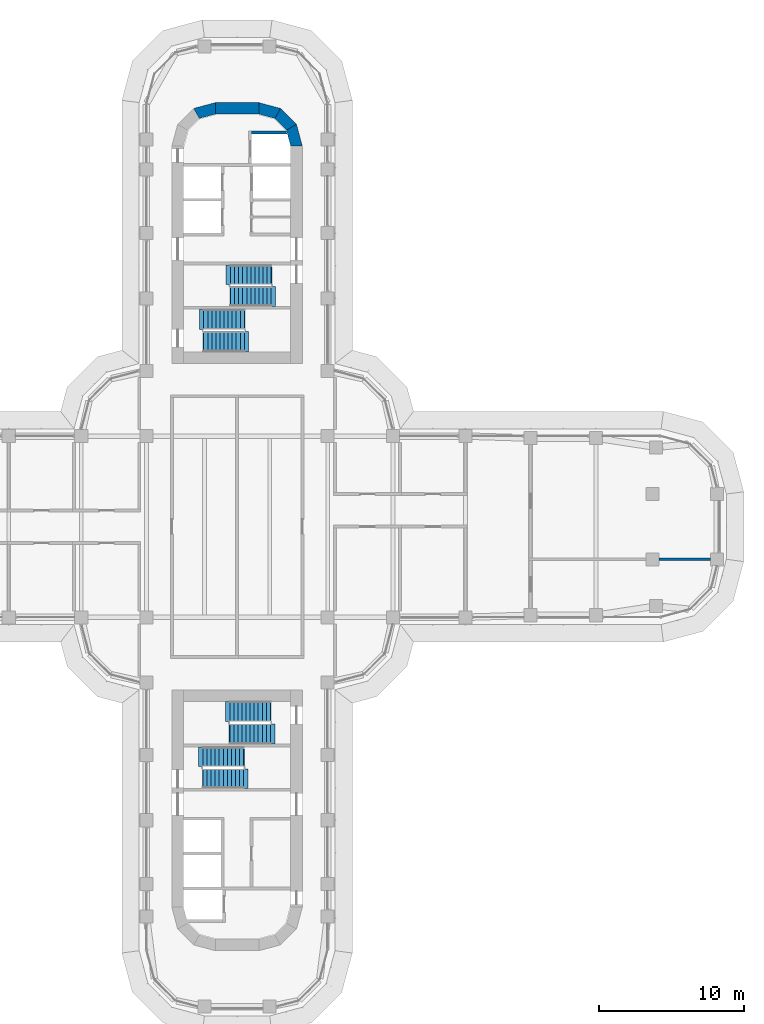
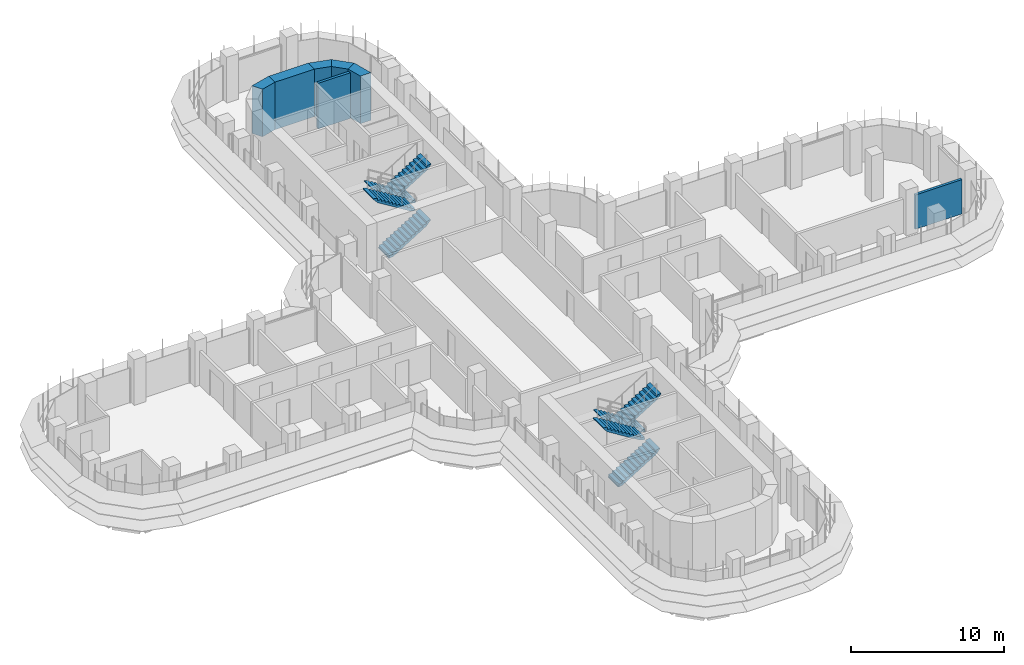
# One storey, part 19 of 23: 8 stair flights, 7 walls, 4 elements without a shape of their own.
"""IFC4 building model written with IfcOpenShell, lengths in metres."""

import ifcopenshell
import ifcopenshell.guid

model = None  # the IFC model being written
_history = None  # IfcOwnerHistory: only IFC2X3 demands one
_inside = {}  # id of a spatial element -> (the spatial element, [elements in it])
_under = {}  # id of a project, library or spatial element -> (it, [spatial elements below it])
_declared = {}  # id of a project -> (the project, [libraries it declares])
_typed = {}  # id of a type object -> (the type object, [elements of that type])
_made_of = {}  # id of a material, layer set ... -> (it, [elements and type objects made of it])


def new_model(schema):
    """Start an empty IFC model of exactly this schema.

    Asked for "IFC4X3", IfcOpenShell would pick the latest addendum, in which some entities
    have other attributes; the version numbers below select the first issue.
    IFC2X3 requires an IfcOwnerHistory on every rooted entity: one is made here for all.
    """
    global model, _history
    if schema == "IFC4X3":
        model = ifcopenshell.file(schema_version=(4, 3, 0, 0))
    else:
        model = ifcopenshell.file(schema=schema)
    _inside.clear()
    _under.clear()
    _declared.clear()
    _typed.clear()
    _made_of.clear()
    _history = None
    if model.schema == "IFC2X3":
        org = make("IfcOrganization", Name="unknown")
        user = make(
            "IfcPersonAndOrganization",
            ThePerson=make("IfcPerson", FamilyName="unknown"),
            TheOrganization=org,
        )
        app = make(
            "IfcApplication",
            ApplicationDeveloper=org,
            Version="unknown",
            ApplicationFullName="unknown",
            ApplicationIdentifier="unknown",
        )
        _history = make(
            "IfcOwnerHistory",
            OwningUser=user,
            OwningApplication=app,
            ChangeAction="ADDED",
            CreationDate=0,
        )
    return model


def make(cls, **values):
    """One entity of the class cls with the attributes given. An attribute that is None is left unset."""
    return model.create_entity(
        cls, **{name: value for name, value in values.items() if value is not None}
    )


def rooted(cls, **values):
    """An entity with a GlobalId (a new one), such as an element, a storey or a relation."""
    return make(cls, GlobalId=ifcopenshell.guid.new(), OwnerHistory=_history, **values)


def si_unit(unit_type, name, prefix=None):
    """IfcSIUnit, for example si_unit("LENGTHUNIT", "METRE", prefix="MILLI")."""
    return make("IfcSIUnit", UnitType=unit_type, Prefix=prefix, Name=name)


def assignment(units):
    """IfcUnitAssignment: the units of a project."""
    return None if units is None else make("IfcUnitAssignment", Units=units)


def point(xyz):
    """IfcCartesianPoint."""
    return None if xyz is None else make("IfcCartesianPoint", Coordinates=xyz)


def direction(xyz):
    """IfcDirection."""
    return None if xyz is None else make("IfcDirection", DirectionRatios=xyz)


def frame(location, z_axis=None, x_axis=None):
    """IfcAxis2Placement3D, a coordinate frame: its origin and axes. An axis left out is left unset."""
    return make(
        "IfcAxis2Placement3D",
        Location=point(location),
        Axis=direction(z_axis),
        RefDirection=direction(x_axis),
    )


def frame_2d(location, x_axis=None):
    """IfcAxis2Placement2D, a coordinate frame in the plane: its origin and x axis."""
    return make(
        "IfcAxis2Placement2D", Location=point(location), RefDirection=direction(x_axis)
    )


def origin():
    """The frame at (0, 0, 0) with its axes left unset."""
    return frame((0.0, 0.0, 0.0))


def place(relative_to, where):
    """IfcLocalPlacement: puts the frame where relative to a parent placement (None: the world)."""
    return make(
        "IfcLocalPlacement", PlacementRelTo=relative_to, RelativePlacement=where
    )


def context(
    kind, dimensions, precision=None, world=None, true_north=None, identifier=None
):
    """IfcGeometricRepresentationContext, for example the 3D "Model" context."""
    return make(
        "IfcGeometricRepresentationContext",
        ContextIdentifier=identifier,
        ContextType=kind,
        CoordinateSpaceDimension=dimensions,
        Precision=precision,
        WorldCoordinateSystem=world,
        TrueNorth=true_north,
    )


def subcontext(parent, identifier, kind, view, scale=None):
    """IfcGeometricRepresentationSubContext, for example "Body" below "Model"."""
    return make(
        "IfcGeometricRepresentationSubContext",
        ContextIdentifier=identifier,
        ContextType=kind,
        ParentContext=parent,
        TargetScale=scale,
        TargetView=view,
    )


def project(units=None, contexts=None):
    """IfcProject with its units and contexts."""
    return rooted(
        "IfcProject",
        Name="project",
        RepresentationContexts=contexts,
        UnitsInContext=assignment(units),
    )


def spatial(cls, under=None, at=None, **own):
    """A site, building, storey or space (cls), placed at a placement, below another one or the project."""
    s = rooted(cls, ObjectPlacement=at, **own)
    if under is not None:
        _under.setdefault(under.id(), (under, []))[1].append(s)
    return s


def polyline(points):
    """IfcPolyline through the points."""
    return make("IfcPolyline", Points=[point(p) for p in points])


def profile(cls, at=None, kind="AREA", **sizes):
    """A parametric profile (cls). Its sizes go by their IFC names, for example OverallWidth=200.0."""
    return make(cls, ProfileType=kind, Position=at, **sizes)


def rectangle(**sizes):
    """IfcRectangleProfileDef."""
    return profile("IfcRectangleProfileDef", **sizes)


def outline(outer, holes=None, kind="AREA"):
    """IfcArbitraryClosedProfileDef: a profile drawn as a closed curve; with holes, ...WithVoids."""
    if holes is None:
        return make("IfcArbitraryClosedProfileDef", ProfileType=kind, OuterCurve=outer)
    return make(
        "IfcArbitraryProfileDefWithVoids",
        ProfileType=kind,
        OuterCurve=outer,
        InnerCurves=holes,
    )


def extrude(swept, where, along, depth):
    """IfcExtrudedAreaSolid: the profile swept, set in the frame where, extruded along a direction by depth."""
    return make(
        "IfcExtrudedAreaSolid",
        SweptArea=swept,
        Position=where,
        ExtrudedDirection=direction(along),
        Depth=depth,
    )


def shape(context_of_items, identifier, shape_type, items):
    """IfcShapeRepresentation: the items that make up one representation, for example the "Body"."""
    return make(
        "IfcShapeRepresentation",
        ContextOfItems=context_of_items,
        RepresentationIdentifier=identifier,
        RepresentationType=shape_type,
        Items=items,
    )


def material(Name=None, Category=None):
    """IfcMaterial."""
    return make("IfcMaterial", Name=Name, Category=Category)


def layer(
    of_material, thickness, ventilated=None, Name=None, Category=None, Priority=None
):
    """IfcMaterialLayer: one layer of a wall or slab, of a material (None: an air gap)."""
    return make(
        "IfcMaterialLayer",
        Material=of_material,
        LayerThickness=thickness,
        IsVentilated=ventilated,
        Name=Name,
        Category=Category,
        Priority=Priority,
    )


def layer_set(layers, Name=None):
    """IfcMaterialLayerSet."""
    return make("IfcMaterialLayerSet", MaterialLayers=layers, LayerSetName=Name)


def made_of(thing, what):
    """Note that an element or type object is made of a material, layer set ...; save() writes the relation."""
    if what is not None:
        _made_of.setdefault(what.id(), (what, []))[1].append(thing)
    return thing


def type_object(cls, material=None, **own):
    """A type object (cls), such as IfcWallType, which elements share."""
    return made_of(rooted(cls, **own), material)


def element(
    cls,
    number,
    at=None,
    inside=None,
    cuts=None,
    type_object=None,
    material=None,
    context=None,
    identifier="Body",
    shape_type=None,
    held_by="IfcProductDefinitionShape",
    body=None,
    shapes=None,
    **own,
):
    """One element of the class cls, such as IfcWall. Its Tag is "e" and its number.

    at: its placement. inside: the storey or other place that contains it. cuts: it is an
    opening in that element (IfcRelVoidsElement). A single representation is given by context,
    identifier, shape_type and body (its items); several are given by shapes. held_by: the class
    of the entity that holds the representations. save() writes the other relations.
    """
    e = rooted(cls, Tag="e%d" % number, ObjectPlacement=at, **own)
    if body is not None:
        shapes = [shape(context, identifier, shape_type, body)]
    if shapes is not None:
        e.Representation = make(held_by, Representations=shapes)
    if inside is not None:
        _inside.setdefault(inside.id(), (inside, []))[1].append(e)
    if cuts is not None:
        rooted(
            "IfcRelVoidsElement", RelatingBuildingElement=cuts, RelatedOpeningElement=e
        )
    if type_object is not None:
        _typed.setdefault(type_object.id(), (type_object, []))[1].append(e)
    return made_of(e, material)


def aggregate(whole, parts):
    """IfcRelAggregates: a whole, such as a stair, and the parts it consists of."""
    return rooted("IfcRelAggregates", RelatingObject=whole, RelatedObjects=parts)


def save(model, path):
    """Write the relations noted so far, then the file.

    IfcRelAggregates (storeys below a building ...), IfcRelContainedInSpatialStructure (elements
    in a storey), IfcRelDefinesByType, IfcRelAssociatesMaterial and IfcRelDeclares: one each for
    every whole, place, type object, material and project.
    """
    for whole, parts in _under.values():
        aggregate(whole, parts)
    for where, things in _inside.values():
        rooted(
            "IfcRelContainedInSpatialStructure",
            RelatedElements=things,
            RelatingStructure=where,
        )
    for kind, things in _typed.values():
        rooted("IfcRelDefinesByType", RelatedObjects=things, RelatingType=kind)
    for what, things in _made_of.values():
        rooted("IfcRelAssociatesMaterial", RelatedObjects=things, RelatingMaterial=what)
    for by, libraries in _declared.values():
        rooted("IfcRelDeclares", RelatingContext=by, RelatedDefinitions=libraries)
    model.write(path)


model = new_model("IFC4")

# Units and contexts
model_context = context("Model", 3, precision=1e-05, world=origin(), true_north=direction((0.0, 1.0)))
body_context = subcontext(model_context, "Body", "Model", "MODEL_VIEW")
ifc_project = project(units=[si_unit("LENGTHUNIT", "METRE"), si_unit("AREAUNIT", "SQUARE_METRE"), si_unit("VOLUMEUNIT", "CUBIC_METRE"), si_unit("PLANEANGLEUNIT", "RADIAN"), si_unit("MASSUNIT", "GRAM", prefix="KILO")], contexts=[model_context])

# Site, building, storey
site_placement = place(None, origin())
site = spatial("IfcSite", under=ifc_project, at=site_placement, CompositionType="ELEMENT")
building_placement = place(site_placement, origin())
building = spatial("IfcBuilding", under=site, at=building_placement, Name="Zarbagh Exchange Tower", CompositionType="ELEMENT")
storey_placement = place(building_placement, frame((0.0, 0.0, 86.60009765625)))
storey = spatial("IfcBuildingStorey", under=building, at=storey_placement, Name="L19", CompositionType="ELEMENT", Elevation=86.60009765625)

# Walls
ifc_material_1 = material(Name="Fire-rated plasterboard partition")
ifc_layer_1 = layer(ifc_material_1, 0.199951171875)
ifc_layer_set_1 = layer_set([ifc_layer_1], Name="RATED PARTITION 200")
wall_type_1 = type_object("IfcWallType", Name="RATED PARTITION 200", PredefinedType="PARTITIONING", material=ifc_layer_set_1)
wall_1_placement = place(storey_placement, frame((29.1201171875, -2.25, 0.0), z_axis=(0.0, 0.0, 1.0), x_axis=(1.0, 0.0, 0.0)))
element("IfcWall", 1, at=wall_1_placement, inside=storey, type_object=wall_type_1, Name="Partition W-627", PredefinedType="PARTITIONING", context=body_context, shape_type="SweptSolid", body=[
    extrude(rectangle(XDim=3.539794921875, YDim=0.199951171875, at=frame_2d((1.77001953125, 0.0))), origin(), (0.0, 0.0, 1.0), 2.738037109375),
])
ifc_material_2 = material(Name="Concrete C60/75", Category="concrete")
ifc_layer_2 = layer(ifc_material_2, 0.800048828125)
ifc_layer_set_2 = layer_set([ifc_layer_2], Name="RC core corner wall 800 C60/75")
wall_type_2 = type_object("IfcWallType", Name="RC core corner wall 800 C60/75", PredefinedType="SHEAR", material=ifc_layer_set_2)
wall_2_placement = place(storey_placement, origin())
element("IfcWall", 2, at=wall_2_placement, inside=storey, type_object=wall_type_2, Name="CW4 core N corner W", PredefinedType="SHEAR", context=body_context, shape_type="SweptSolid", body=[
    extrude(outline(polyline([(-3.0, 28.84814453125), (-1.5, 29.25), (-1.5, 28.449951171875), (-2.60009765625, 28.1552734375), (-3.0, 28.84814453125)])), origin(), (0.0, 0.0, 1.0), 3.7998046875),
])
wall_3_placement = place(storey_placement, origin())
element("IfcWall", 3, at=wall_3_placement, inside=storey, type_object=wall_type_2, Name="CW4 core N corner E", PredefinedType="SHEAR", context=body_context, shape_type="SweptSolid", body=[
    extrude(outline(polyline([(4.5, 26.25), (4.09814453125, 27.75), (3.4052734375, 27.35009765625), (3.699951171875, 26.25), (4.5, 26.25)])), origin(), (0.0, 0.0, 1.0), 3.7998046875),
])
wall_4_placement = place(storey_placement, origin())
element("IfcWall", 4, at=wall_4_placement, inside=storey, type_object=wall_type_2, Name="CW4 core N corner E", PredefinedType="SHEAR", context=body_context, shape_type="SweptSolid", body=[
    extrude(outline(polyline([(4.09814453125, 27.75), (3.0, 28.84814453125), (2.60009765625, 28.1552734375), (3.4052734375, 27.35009765625), (4.09814453125, 27.75)])), origin(), (0.0, 0.0, 1.0), 3.7998046875),
])
wall_5_placement = place(storey_placement, origin())
element("IfcWall", 5, at=wall_5_placement, inside=storey, type_object=wall_type_2, Name="CW4 core N corner E", PredefinedType="SHEAR", context=body_context, shape_type="SweptSolid", body=[
    extrude(outline(polyline([(3.0, 28.84814453125), (1.5, 29.25), (1.5, 28.449951171875), (2.60009765625, 28.1552734375), (3.0, 28.84814453125)])), origin(), (0.0, 0.0, 1.0), 3.7998046875),
])
ifc_layer_3 = layer(ifc_material_2, 0.800048828125)
ifc_layer_set_3 = layer_set([ifc_layer_3], Name="RC core wall 800 C60/75")
wall_type_3 = type_object("IfcWallType", Name="RC core wall 800 C60/75", PredefinedType="SHEAR", material=ifc_layer_set_3)
wall_6_placement = place(storey_placement, frame((-1.5, 28.85009765625, 0.0), z_axis=(0.0, 0.0, 1.0), x_axis=(1.0, 0.0, 0.0)))
element("IfcWall", 6, at=wall_6_placement, inside=storey, type_object=wall_type_3, Name="CW3 core N outer end", PredefinedType="SHEAR", context=body_context, shape_type="SweptSolid", body=[
    extrude(rectangle(XDim=3.0, YDim=0.800048828125, at=frame_2d((1.5, 0.0))), origin(), (0.0, 0.0, 1.0), 3.7998046875),
])
ifc_material_3 = material(Name="Concrete C40/50", Category="concrete")
ifc_layer_4 = layer(ifc_material_3, 0.199951171875)
ifc_layer_set_4 = layer_set([ifc_layer_4], Name="Stair enclosure wall 200 mm RC C40/50")
wall_type_4 = type_object("IfcWallType", Name="Stair enclosure wall 200 mm RC C40/50", PredefinedType="SHEAR", material=ifc_layer_set_4)
wall_7_placement = place(storey_placement, origin())
element("IfcWall", 7, at=wall_7_placement, inside=storey, type_object=wall_type_4, Name="North core lift shaft wall FFX", PredefinedType="SHEAR", context=body_context, shape_type="SweptSolid", body=[
    extrude(outline(polyline([(1.0, 27.10009765625), (3.444091796875, 27.10009765625), (3.390380859375, 27.300048828125), (1.0, 27.300048828125), (1.0, 27.10009765625)])), origin(), (0.0, 0.0, 1.0), 3.64990234375),
])

# Stair, stair flights
stair_type = type_object("IfcStairType", Name="Exit stair two-flight half-turn", PredefinedType="HALF_TURN_STAIR", material=ifc_material_3)
stair_1_placement = place(storey_placement, origin())
stair_1 = element("IfcStair", 8, at=stair_1_placement, inside=storey, type_object=stair_type, Name="exit stair ST1", PredefinedType="HALF_TURN_STAIR")
stair_flight_type_1 = type_object("IfcStairFlightType", Name="Stair flight 1350 mm", PredefinedType="STRAIGHT", material=ifc_material_3)
stair_flight_1_placement = place(storey_placement, frame((2.35009765625, 17.375, 0.0), z_axis=(0.0, 0.0, 1.0), x_axis=(-1.0, 0.0, 0.0)))
stair_flight_1 = element("IfcStairFlight", 9, at=stair_flight_1_placement, type_object=stair_flight_type_1, Name="ST1 flight 1", NumberOfRisers=11, NumberOfTreads=10, PredefinedType="STRAIGHT", RiserHeight=0.172727273, TreadLength=0.28, context=body_context, shape_type="SweptSolid", body=[
    extrude(outline(polyline([(-0.050048828125, -0.050048828125), (-0.050048828125, 0.0), (0.0, 0.0), (0.0, 0.172607421875), (0.280029296875, 0.172607421875), (0.280029296875, 0.345458984375), (0.56005859375, 0.345458984375), (0.56005859375, 0.51806640625), (0.840087890625, 0.51806640625), (0.840087890625, 0.69091796875), (1.1201171875, 0.69091796875), (1.1201171875, 0.863525390625), (1.39990234375, 0.863525390625), (1.39990234375, 1.036376953125), (1.679931640625, 1.036376953125), (1.679931640625, 1.208984375), (1.9599609375, 1.208984375), (1.9599609375, 1.3818359375), (2.239990234375, 1.3818359375), (2.239990234375, 1.554443359375), (2.52001953125, 1.554443359375), (2.52001953125, 1.727294921875), (2.800048828125, 1.727294921875), (2.800048828125, 1.89990234375), (3.10009765625, 1.97998046875), (3.10009765625, 1.89990234375), (2.800048828125, 1.551025390625), (0.285400390625, 0.0), (-0.050048828125, -0.050048828125)])), frame((0.0, 0.675048828125, 0.0), z_axis=(0.0, -1.0, 0.0), x_axis=(1.0, 0.0, 0.0)), (0.0, 0.0, 1.0), 1.35009765625),
])
stair_flight_2_placement = place(storey_placement, frame((-0.449951171875, 15.875, 1.89990234375), z_axis=(0.0, 0.0, 1.0), x_axis=(1.0, 0.0, 0.0)))
stair_flight_2 = element("IfcStairFlight", 10, at=stair_flight_2_placement, type_object=stair_flight_type_1, Name="ST1 flight 2", NumberOfRisers=11, NumberOfTreads=10, PredefinedType="STRAIGHT", RiserHeight=0.172727273, TreadLength=0.28, context=body_context, shape_type="SweptSolid", body=[
    extrude(outline(polyline([(-0.050048828125, -0.050048828125), (-0.050048828125, 0.0), (0.0, 0.0), (0.0, 0.172607421875), (0.280029296875, 0.172607421875), (0.280029296875, 0.345458984375), (0.56005859375, 0.345458984375), (0.56005859375, 0.51806640625), (0.840087890625, 0.51806640625), (0.840087890625, 0.69091796875), (1.1201171875, 0.69091796875), (1.1201171875, 0.863525390625), (1.39990234375, 0.863525390625), (1.39990234375, 1.036376953125), (1.679931640625, 1.036376953125), (1.679931640625, 1.208984375), (1.9599609375, 1.208984375), (1.9599609375, 1.3818359375), (2.239990234375, 1.3818359375), (2.239990234375, 1.554443359375), (2.52001953125, 1.554443359375), (2.52001953125, 1.727294921875), (2.800048828125, 1.727294921875), (2.800048828125, 1.89990234375), (3.10009765625, 1.97998046875), (3.10009765625, 1.89990234375), (2.800048828125, 1.551025390625), (0.285400390625, 0.0), (-0.050048828125, -0.050048828125)])), frame((0.0, 0.675048828125, 0.0), z_axis=(0.0, -1.0, 0.0), x_axis=(1.0, 0.0, 0.0)), (0.0, 0.0, 1.0), 1.35009765625),
])
aggregate(stair_1, [stair_flight_1, stair_flight_2])

stair_2_placement = place(storey_placement, origin())
stair_2 = element("IfcStair", 11, at=stair_2_placement, inside=storey, type_object=stair_type, Name="exit stair ST3", PredefinedType="HALF_TURN_STAIR")
stair_flight_3_placement = place(storey_placement, frame((-2.35009765625, -17.375, 0.0), z_axis=(0.0, 0.0, 1.0), x_axis=(1.0, 0.0, 0.0)))
stair_flight_3 = element("IfcStairFlight", 12, at=stair_flight_3_placement, type_object=stair_flight_type_1, Name="ST3 flight 1", NumberOfRisers=11, NumberOfTreads=10, PredefinedType="STRAIGHT", RiserHeight=0.172727273, TreadLength=0.28, context=body_context, shape_type="SweptSolid", body=[
    extrude(outline(polyline([(-0.050048828125, -0.050048828125), (-0.050048828125, 0.0), (0.0, 0.0), (0.0, 0.172607421875), (0.280029296875, 0.172607421875), (0.280029296875, 0.345458984375), (0.56005859375, 0.345458984375), (0.56005859375, 0.51806640625), (0.840087890625, 0.51806640625), (0.840087890625, 0.69091796875), (1.1201171875, 0.69091796875), (1.1201171875, 0.863525390625), (1.39990234375, 0.863525390625), (1.39990234375, 1.036376953125), (1.679931640625, 1.036376953125), (1.679931640625, 1.208984375), (1.9599609375, 1.208984375), (1.9599609375, 1.3818359375), (2.239990234375, 1.3818359375), (2.239990234375, 1.554443359375), (2.52001953125, 1.554443359375), (2.52001953125, 1.727294921875), (2.800048828125, 1.727294921875), (2.800048828125, 1.89990234375), (3.10009765625, 1.97998046875), (3.10009765625, 1.89990234375), (2.800048828125, 1.551025390625), (0.285400390625, 0.0), (-0.050048828125, -0.050048828125)])), frame((0.0, 0.675048828125, 0.0), z_axis=(0.0, -1.0, 0.0), x_axis=(1.0, 0.0, 0.0)), (0.0, 0.0, 1.0), 1.35009765625),
])
stair_flight_4_placement = place(storey_placement, frame((0.449951171875, -15.875, 1.89990234375), z_axis=(0.0, 0.0, 1.0), x_axis=(-1.0, 0.0, 0.0)))
stair_flight_4 = element("IfcStairFlight", 13, at=stair_flight_4_placement, type_object=stair_flight_type_1, Name="ST3 flight 2", NumberOfRisers=11, NumberOfTreads=10, PredefinedType="STRAIGHT", RiserHeight=0.172727273, TreadLength=0.28, context=body_context, shape_type="SweptSolid", body=[
    extrude(outline(polyline([(-0.050048828125, -0.050048828125), (-0.050048828125, 0.0), (0.0, 0.0), (0.0, 0.172607421875), (0.280029296875, 0.172607421875), (0.280029296875, 0.345458984375), (0.56005859375, 0.345458984375), (0.56005859375, 0.51806640625), (0.840087890625, 0.51806640625), (0.840087890625, 0.69091796875), (1.1201171875, 0.69091796875), (1.1201171875, 0.863525390625), (1.39990234375, 0.863525390625), (1.39990234375, 1.036376953125), (1.679931640625, 1.036376953125), (1.679931640625, 1.208984375), (1.9599609375, 1.208984375), (1.9599609375, 1.3818359375), (2.239990234375, 1.3818359375), (2.239990234375, 1.554443359375), (2.52001953125, 1.554443359375), (2.52001953125, 1.727294921875), (2.800048828125, 1.727294921875), (2.800048828125, 1.89990234375), (3.10009765625, 1.97998046875), (3.10009765625, 1.89990234375), (2.800048828125, 1.551025390625), (0.285400390625, 0.0), (-0.050048828125, -0.050048828125)])), frame((0.0, 0.675048828125, 0.0), z_axis=(0.0, -1.0, 0.0), x_axis=(1.0, 0.0, 0.0)), (0.0, 0.0, 1.0), 1.35009765625),
])
aggregate(stair_2, [stair_flight_3, stair_flight_4])

stair_3_placement = place(storey_placement, origin())
stair_3 = element("IfcStair", 14, at=stair_3_placement, inside=storey, type_object=stair_type, Name="exit stair ST2", PredefinedType="HALF_TURN_STAIR")
stair_flight_type_2 = type_object("IfcStairFlightType", Name="Stair flight 1400 mm", PredefinedType="STRAIGHT", material=ifc_material_3)
stair_flight_5_placement = place(storey_placement, frame((-2.300048828125, 12.75, 0.0), z_axis=(0.0, 0.0, 1.0), x_axis=(1.0, 0.0, 0.0)))
stair_flight_5 = element("IfcStairFlight", 15, at=stair_flight_5_placement, type_object=stair_flight_type_2, Name="ST2 flight 1", NumberOfRisers=11, NumberOfTreads=10, PredefinedType="STRAIGHT", RiserHeight=0.172727273, TreadLength=0.28, context=body_context, shape_type="SweptSolid", body=[
    extrude(outline(polyline([(-0.050048828125, -0.050048828125), (-0.050048828125, 0.0), (0.0, 0.0), (0.0, 0.172607421875), (0.280029296875, 0.172607421875), (0.280029296875, 0.345458984375), (0.56005859375, 0.345458984375), (0.56005859375, 0.51806640625), (0.840087890625, 0.51806640625), (0.840087890625, 0.69091796875), (1.1201171875, 0.69091796875), (1.1201171875, 0.863525390625), (1.39990234375, 0.863525390625), (1.39990234375, 1.036376953125), (1.679931640625, 1.036376953125), (1.679931640625, 1.208984375), (1.9599609375, 1.208984375), (1.9599609375, 1.3818359375), (2.239990234375, 1.3818359375), (2.239990234375, 1.554443359375), (2.52001953125, 1.554443359375), (2.52001953125, 1.727294921875), (2.800048828125, 1.727294921875), (2.800048828125, 1.89990234375), (3.10009765625, 1.97998046875), (3.10009765625, 1.89990234375), (2.800048828125, 1.551025390625), (0.285400390625, 0.0), (-0.050048828125, -0.050048828125)])), frame((0.0, 0.699951171875, 0.0), z_axis=(0.0, -1.0, 0.0), x_axis=(1.0, 0.0, 0.0)), (0.0, 0.0, 1.0), 1.39990234375),
])
stair_flight_6_placement = place(storey_placement, frame((0.5, 14.300048828125, 1.89990234375), z_axis=(0.0, 0.0, 1.0), x_axis=(-1.0, 0.0, 0.0)))
stair_flight_6 = element("IfcStairFlight", 16, at=stair_flight_6_placement, type_object=stair_flight_type_2, Name="ST2 flight 2", NumberOfRisers=11, NumberOfTreads=10, PredefinedType="STRAIGHT", RiserHeight=0.172727273, TreadLength=0.28, context=body_context, shape_type="SweptSolid", body=[
    extrude(outline(polyline([(-0.050048828125, -0.050048828125), (-0.050048828125, 0.0), (0.0, 0.0), (0.0, 0.172607421875), (0.280029296875, 0.172607421875), (0.280029296875, 0.345458984375), (0.56005859375, 0.345458984375), (0.56005859375, 0.51806640625), (0.840087890625, 0.51806640625), (0.840087890625, 0.69091796875), (1.1201171875, 0.69091796875), (1.1201171875, 0.863525390625), (1.39990234375, 0.863525390625), (1.39990234375, 1.036376953125), (1.679931640625, 1.036376953125), (1.679931640625, 1.208984375), (1.9599609375, 1.208984375), (1.9599609375, 1.3818359375), (2.239990234375, 1.3818359375), (2.239990234375, 1.554443359375), (2.52001953125, 1.554443359375), (2.52001953125, 1.727294921875), (2.800048828125, 1.727294921875), (2.800048828125, 1.89990234375), (3.10009765625, 1.97998046875), (3.10009765625, 1.89990234375), (2.800048828125, 1.551025390625), (0.285400390625, 0.0), (-0.050048828125, -0.050048828125)])), frame((0.0, 0.699951171875, 0.0), z_axis=(0.0, -1.0, 0.0), x_axis=(1.0, 0.0, 0.0)), (0.0, 0.0, 1.0), 1.39990234375),
])
aggregate(stair_3, [stair_flight_5, stair_flight_6])

stair_4_placement = place(storey_placement, origin())
stair_4 = element("IfcStair", 17, at=stair_4_placement, inside=storey, type_object=stair_type, Name="exit stair ST4", PredefinedType="HALF_TURN_STAIR")
stair_flight_7_placement = place(storey_placement, frame((2.300048828125, -12.75, 0.0), z_axis=(0.0, 0.0, 1.0), x_axis=(-1.0, 0.0, 0.0)))
stair_flight_7 = element("IfcStairFlight", 18, at=stair_flight_7_placement, type_object=stair_flight_type_2, Name="ST4 flight 1", NumberOfRisers=11, NumberOfTreads=10, PredefinedType="STRAIGHT", RiserHeight=0.172727273, TreadLength=0.28, context=body_context, shape_type="SweptSolid", body=[
    extrude(outline(polyline([(-0.050048828125, -0.050048828125), (-0.050048828125, 0.0), (0.0, 0.0), (0.0, 0.172607421875), (0.280029296875, 0.172607421875), (0.280029296875, 0.345458984375), (0.56005859375, 0.345458984375), (0.56005859375, 0.51806640625), (0.840087890625, 0.51806640625), (0.840087890625, 0.69091796875), (1.1201171875, 0.69091796875), (1.1201171875, 0.863525390625), (1.39990234375, 0.863525390625), (1.39990234375, 1.036376953125), (1.679931640625, 1.036376953125), (1.679931640625, 1.208984375), (1.9599609375, 1.208984375), (1.9599609375, 1.3818359375), (2.239990234375, 1.3818359375), (2.239990234375, 1.554443359375), (2.52001953125, 1.554443359375), (2.52001953125, 1.727294921875), (2.800048828125, 1.727294921875), (2.800048828125, 1.89990234375), (3.10009765625, 1.97998046875), (3.10009765625, 1.89990234375), (2.800048828125, 1.551025390625), (0.285400390625, 0.0), (-0.050048828125, -0.050048828125)])), frame((0.0, 0.699951171875, 0.0), z_axis=(0.0, -1.0, 0.0), x_axis=(1.0, 0.0, 0.0)), (0.0, 0.0, 1.0), 1.39990234375),
])
stair_flight_8_placement = place(storey_placement, frame((-0.5, -14.300048828125, 1.89990234375), z_axis=(0.0, 0.0, 1.0), x_axis=(1.0, 0.0, 0.0)))
stair_flight_8 = element("IfcStairFlight", 19, at=stair_flight_8_placement, type_object=stair_flight_type_2, Name="ST4 flight 2", NumberOfRisers=11, NumberOfTreads=10, PredefinedType="STRAIGHT", RiserHeight=0.172727273, TreadLength=0.28, context=body_context, shape_type="SweptSolid", body=[
    extrude(outline(polyline([(-0.050048828125, -0.050048828125), (-0.050048828125, 0.0), (0.0, 0.0), (0.0, 0.172607421875), (0.280029296875, 0.172607421875), (0.280029296875, 0.345458984375), (0.56005859375, 0.345458984375), (0.56005859375, 0.51806640625), (0.840087890625, 0.51806640625), (0.840087890625, 0.69091796875), (1.1201171875, 0.69091796875), (1.1201171875, 0.863525390625), (1.39990234375, 0.863525390625), (1.39990234375, 1.036376953125), (1.679931640625, 1.036376953125), (1.679931640625, 1.208984375), (1.9599609375, 1.208984375), (1.9599609375, 1.3818359375), (2.239990234375, 1.3818359375), (2.239990234375, 1.554443359375), (2.52001953125, 1.554443359375), (2.52001953125, 1.727294921875), (2.800048828125, 1.727294921875), (2.800048828125, 1.89990234375), (3.10009765625, 1.97998046875), (3.10009765625, 1.89990234375), (2.800048828125, 1.551025390625), (0.285400390625, 0.0), (-0.050048828125, -0.050048828125)])), frame((0.0, 0.699951171875, 0.0), z_axis=(0.0, -1.0, 0.0), x_axis=(1.0, 0.0, 0.0)), (0.0, 0.0, 1.0), 1.39990234375),
])
aggregate(stair_4, [stair_flight_7, stair_flight_8])

save(model, "model.ifc")
